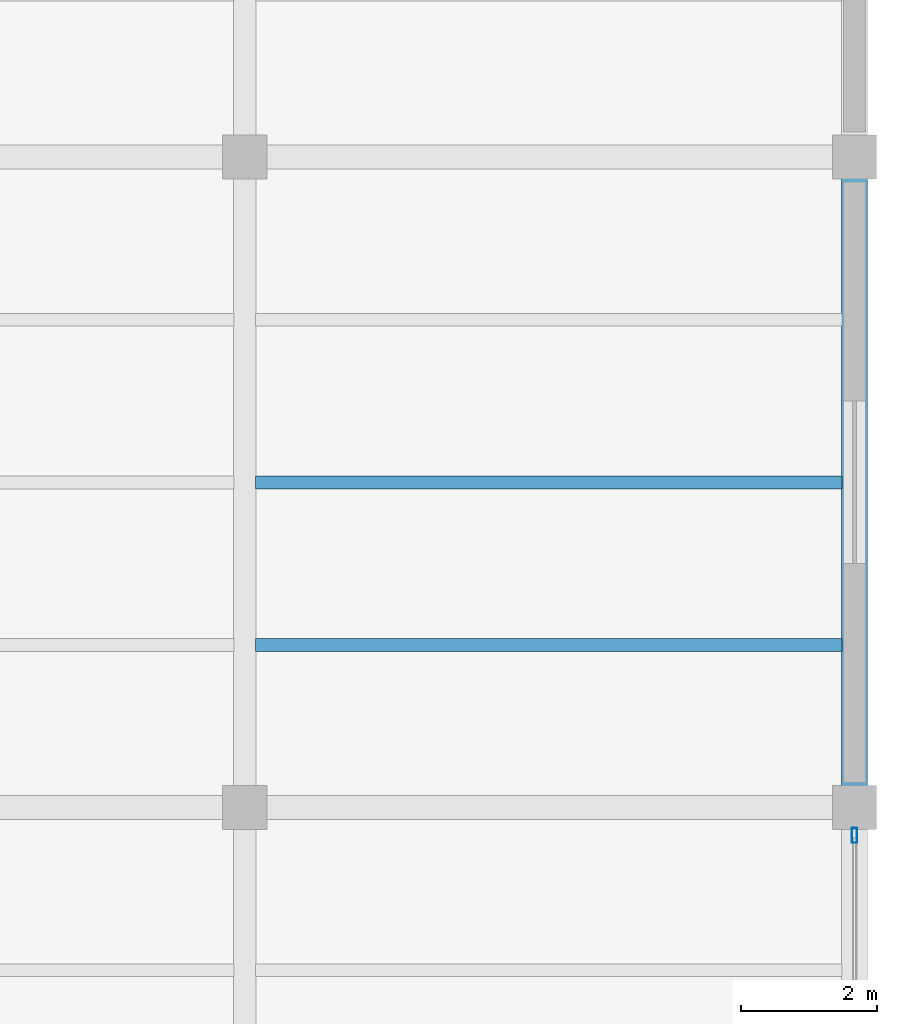
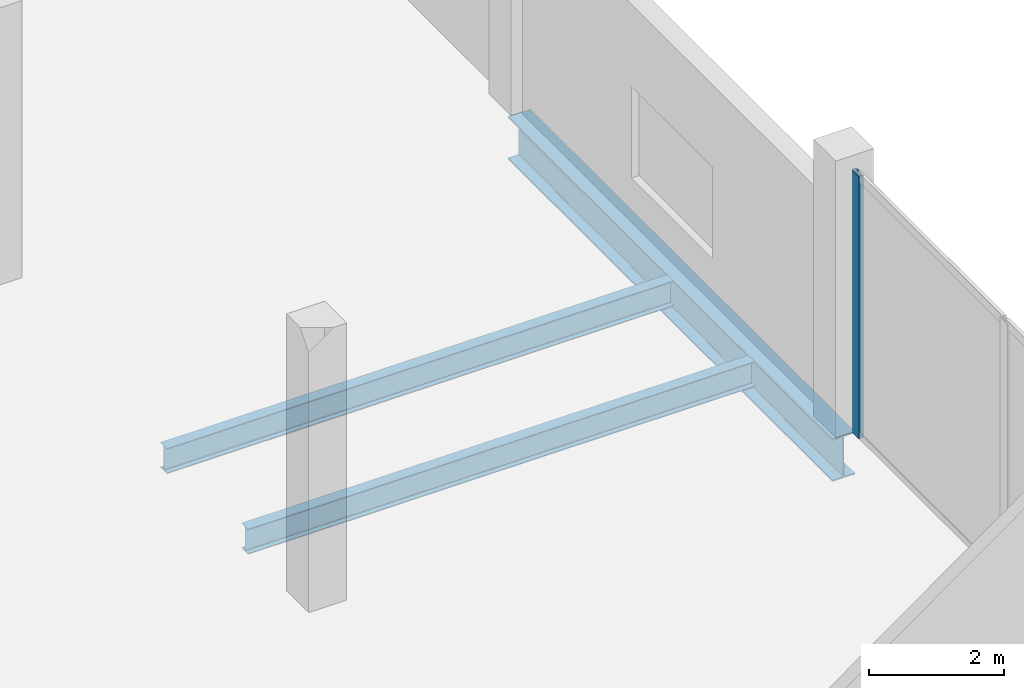
# One storey, part 24 of 46: 3 beams, 1 member, 1 element without a shape of its own.
"""IFC4 building model written with IfcOpenShell, lengths in metres."""

from ifc_helpers import new_model, si_unit, direction, frame, origin, origin_2d, place, context, subcontext, project, spatial, hollow_rectangle, i_section, extrude, material, layer, layer_set, material_profile, profile_set, type_object, element, aggregate, save


model = new_model("IFC4")

# Units and contexts
model_context = context("Model", 3, precision=1e-05, world=origin(), true_north=direction((0.0, 1.0)))
body_context = subcontext(model_context, "Body", "Model", "MODEL_VIEW")
ifc_project = project(units=[si_unit("LENGTHUNIT", "METRE"), si_unit("AREAUNIT", "SQUARE_METRE"), si_unit("VOLUMEUNIT", "CUBIC_METRE"), si_unit("PLANEANGLEUNIT", "RADIAN"), si_unit("MASSUNIT", "GRAM", prefix="KILO")], contexts=[model_context])

# Site, building, storey
site_placement = place(None, origin())
site = spatial("IfcSite", under=ifc_project, at=site_placement, CompositionType="ELEMENT")
building_placement = place(site_placement, origin())
building = spatial("IfcBuilding", under=site, at=building_placement, Name="Qorvath Tower", CompositionType="ELEMENT")
storey_placement = place(building_placement, frame((0.0, 0.0, 17.0)))
storey = spatial("IfcBuildingStorey", under=building, at=storey_placement, Name="L03", CompositionType="ELEMENT", Elevation=17.0)

# Beams
ifc_material_1 = material(Name="Steel ASTM A992 Grade 50", Category="steel")
ifc_material_profile_1 = material_profile(ifc_material_1, i_section(OverallWidth=0.381103515625, OverallDepth=0.77294921875, WebThickness=0.0166015625, FlangeThickness=0.027099609375, FilletRadius=0.01904296875, at=origin_2d()), Name="W30x173")
ifc_profile_set_1 = profile_set([ifc_material_profile_1], Name="Steel ASTM A992 Grade 50")
beam_type_1 = type_object("IfcBeamType", Name="BM-FG3", PredefinedType="BEAM", material=ifc_profile_set_1)
beam_placement = place(storey_placement, frame((77.39990234375, 19.199951171875, -0.646484375), z_axis=(0.0, 1.0, 0.0), x_axis=(-1.0, 0.0, 0.0)))
element("IfcBeam", 1, at=beam_placement, inside=storey, type_object=beam_type_1, Name="Library N-S Girder L03-6-7", PredefinedType="BEAM", context=body_context, shape_type="SweptSolid", body=[
    extrude(i_section(OverallWidth=0.381103515625, OverallDepth=0.77294921875, WebThickness=0.0166015625, FlangeThickness=0.027099609375, FilletRadius=0.01904296875, at=origin_2d()), origin(), (0.0, 0.0, 1.0), 9.60009765625),
])
ifc_material_2 = material(Name="Steel ASTM A992 Grade 50", Category="steel")
ifc_material_profile_2 = material_profile(ifc_material_2, i_section(OverallWidth=0.18994140625, OverallDepth=0.45703125, WebThickness=0.009033203125, FlangeThickness=0.014404296875, FilletRadius=0.011962890625, at=origin_2d()), Name="W18x50")
ifc_profile_set_2 = profile_set([ifc_material_profile_2], Name="Steel ASTM A992 Grade 50")
beam_type_2 = type_object("IfcBeamType", Name="BM-FJ2", PredefinedType="JOIST", material=ifc_profile_set_2)
for number, where, z_axis, x_axis, name in (
    (2, (68.560546875, 21.60009765625, -0.488525390625), (1.0, 0.0, 0.0), (0.0, 1.0, 0.0), "Library Stack Joist L03-7.1-5"),
    (3, (68.560546875, 24.0, -0.488525390625), (1.0, 0.0, 0.0), (0.0, 1.0, 0.0), "Library Stack Joist L03-7.2-5"),
):
    element("IfcBeam", number, at=place(storey_placement, frame(where, z_axis=z_axis, x_axis=x_axis)), inside=storey, type_object=beam_type_2, Name=name, PredefinedType="JOIST", context=body_context, shape_type="SweptSolid", body=[
        extrude(i_section(OverallWidth=0.18994140625, OverallDepth=0.45703125, WebThickness=0.009033203125, FlangeThickness=0.014404296875, FilletRadius=0.011962890625, at=origin_2d()), origin(), (0.0, 0.0, 1.0), 8.65087890625),
    ])

# Curtain wall, member
ifc_material_3 = material(Name="Anodised aluminium and triple low-E glass", Category="aluminium")
ifc_layer = layer(ifc_material_3, 0.179931640625)
ifc_layer_set = layer_set([ifc_layer], Name="CW-SYS-6")
curtain_wall_type = type_object("IfcCurtainWallType", Name="CW-SYS-6", PredefinedType="NOTDEFINED", material=ifc_layer_set)
curtain_wall_placement = place(storey_placement, origin())
curtain_wall = element("IfcCurtainWall", 4, at=curtain_wall_placement, inside=storey, type_object=curtain_wall_type, Name="Curtain Wall CW-6 CW-LIB-E-L03-6", PredefinedType="NOTDEFINED")
ifc_material_4 = material(Name="Anodised aluminium 6063-T6", Category="aluminium")
ifc_material_profile_3 = material_profile(ifc_material_4, hollow_rectangle(XDim=0.080078125, YDim=0.219970703125, WallThickness=0.00439453125, InnerFilletRadius=0.00439453125, OuterFilletRadius=0.009033203125, at=origin_2d()), Name="CWM LIB 220x80")
ifc_profile_set_3 = profile_set([ifc_material_profile_3], Name="Anodised aluminium 6063-T6")
member_type = type_object("IfcMemberType", Name="CWM-LIB", PredefinedType="MULLION", material=ifc_profile_set_3)
member_placement = place(storey_placement, frame((77.39990234375, 18.7900390625, 0.0), z_axis=(0.0, 0.0, 1.0), x_axis=(-1.0, 0.0, 0.0)))
member = element("IfcMember", 5, at=member_placement, type_object=member_type, Name="CW-6 mullion 3", PredefinedType="MULLION", context=body_context, shape_type="SweptSolid", body=[
    extrude(hollow_rectangle(XDim=0.080078125, YDim=0.219970703125, WallThickness=0.00439453125, InnerFilletRadius=0.00439453125, OuterFilletRadius=0.009033203125, at=origin_2d()), origin(), (0.0, 0.0, 1.0), 4.739990234375),
])
aggregate(curtain_wall, [member])

save(model, "model.ifc")
